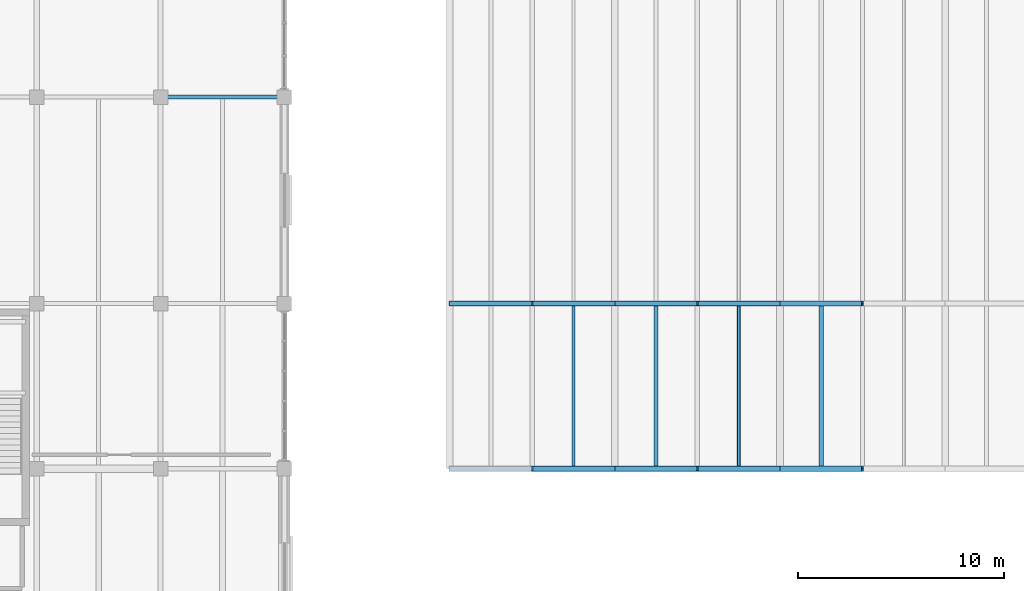
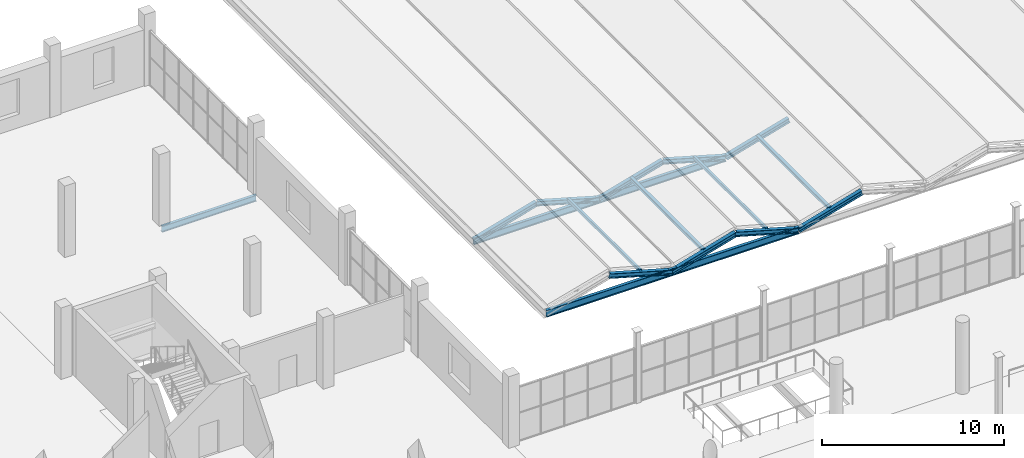
# One storey, part 58 of 114: 13 members, 5 beams.
"""IFC4 building model written with IfcOpenShell, lengths in metres."""

from ifc_helpers import new_model, si_unit, direction, frame, origin, origin_2d, place, context, subcontext, project, spatial, hollow_rectangle, i_section, extrude, material, material_profile, profile_set, type_object, element, save


model = new_model("IFC4")

# Units and contexts
model_context = context("Model", 3, precision=1e-05, world=origin(), true_north=direction((0.0, 1.0)))
body_context = subcontext(model_context, "Body", "Model", "MODEL_VIEW")
ifc_project = project(units=[si_unit("LENGTHUNIT", "METRE"), si_unit("AREAUNIT", "SQUARE_METRE"), si_unit("VOLUMEUNIT", "CUBIC_METRE"), si_unit("PLANEANGLEUNIT", "RADIAN"), si_unit("MASSUNIT", "GRAM", prefix="KILO")], contexts=[model_context])

# Site, building, storey
site_placement = place(None, origin())
site = spatial("IfcSite", under=ifc_project, at=site_placement, CompositionType="ELEMENT")
building_placement = place(site_placement, origin())
building = spatial("IfcBuilding", under=site, at=building_placement, Name="Verrall Gate Interchange", CompositionType="ELEMENT")
storey_placement = place(building_placement, frame((0.0, 0.0, 6.60009765625)))
storey = spatial("IfcBuildingStorey", under=building, at=storey_placement, Name="L02", CompositionType="ELEMENT", Elevation=6.60009765625)

# Beams
ifc_material_1 = material(Name="Structural Steel CSA G40.21 350W", Category="steel")
ifc_material_profile_1 = material_profile(ifc_material_1, i_section(OverallWidth=0.19189453125, OverallDepth=0.462890625, WebThickness=0.010498046875, FlangeThickness=0.017578125, FilletRadius=0.012939453125, at=origin_2d()), Name="W460x89")
ifc_profile_set_1 = profile_set([ifc_material_profile_1], Name="Structural Steel CSA G40.21 350W")
beam_type_1 = type_object("IfcBeamType", Name="B-11 Structural Beam W460x89", PredefinedType="BEAM", material=ifc_profile_set_1)
for number, where, z_axis, x_axis, name in (
    (1, (44.0, 66.0, -0.126708984375), (1.0, 0.0, 0.0), (0.0, 1.0, 0.0), "Bus Roof Tie Girder 1.66"),
    (2, (44.0, 74.0, -0.126708984375), (1.0, 0.0, 0.0), (0.0, 1.0, 0.0), "Bus Roof Tie Girder 1.74"),
    (3, (52.0, 66.0, -0.126708984375), (1.0, 0.0, 0.0), (0.0, 1.0, 0.0), "Bus Roof Tie Girder 2.66"),
    (4, (52.0, 74.0, -0.126708984375), (1.0, 0.0, 0.0), (0.0, 1.0, 0.0), "Bus Roof Tie Girder 2.74"),
):
    element("IfcBeam", number, at=place(storey_placement, frame(where, z_axis=z_axis, x_axis=x_axis)), inside=storey, type_object=beam_type_1, Name=name, PredefinedType="BEAM", context=body_context, shape_type="SweptSolid", body=[
        extrude(i_section(OverallWidth=0.19189453125, OverallDepth=0.462890625, WebThickness=0.010498046875, FlangeThickness=0.017578125, FilletRadius=0.012939453125, at=origin_2d()), origin(), (0.0, 0.0, 1.0), 8.0),
    ])
ifc_material_2 = material(Name="Structural Steel CSA G40.21 350W", Category="steel")
ifc_material_profile_2 = material_profile(ifc_material_2, i_section(OverallWidth=0.178955078125, OverallDepth=0.409912109375, WebThickness=0.0087890625, FlangeThickness=0.014404296875, FilletRadius=0.011962890625, at=origin_2d()), Name="W410x67")
ifc_profile_set_2 = profile_set([ifc_material_profile_2], Name="Structural Steel CSA G40.21 350W")
beam_type_2 = type_object("IfcBeamType", Name="B-12 Structural Beam W410x67", PredefinedType="BEAM", material=ifc_profile_set_2)
beam_placement = place(storey_placement, frame((30.0, 84.0, -0.485107421875), z_axis=(1.0, 0.0, 0.0), x_axis=(0.0, 1.0, 0.0)))
element("IfcBeam", 5, at=beam_placement, inside=storey, type_object=beam_type_2, Name="L02 Girder BM-L02-1626 (B-12)", PredefinedType="BEAM", context=body_context, shape_type="SweptSolid", body=[
    extrude(i_section(OverallWidth=0.178955078125, OverallDepth=0.409912109375, WebThickness=0.0087890625, FlangeThickness=0.014404296875, FilletRadius=0.011962890625, at=origin_2d()), origin(), (0.0, 0.0, 1.0), 6.0),
])

# Members
ifc_material_3 = material(Name="Structural Steel CSA G40.21 350WT Cat 4", Category="steel")
ifc_material_profile_3 = material_profile(ifc_material_3, i_section(OverallWidth=0.202880859375, OverallDepth=0.202880859375, WebThickness=0.007080078125, FlangeThickness=0.010986328125, FilletRadius=0.010009765625, at=origin_2d()), Name="W200x46")
ifc_profile_set_3 = profile_set([ifc_material_profile_3], Name="Structural Steel CSA G40.21 350WT Cat 4")
member_type_1 = type_object("IfcMemberType", Name="PR-02 Roof Purlin W200x46", PredefinedType="PURLIN", material=ifc_profile_set_3)
for number, where, z_axis, x_axis, name in (
    (6, (54.0, 66.0, 0.59326171875), (0.0, 1.0, 0.0), (-1.0, 0.0, 0.0), "Bus Roof Purlin W 2.66"),
    (7, (62.0, 66.0, 0.59326171875), (0.0, 1.0, 0.0), (-1.0, 0.0, 0.0), "Bus Roof Purlin W 3.66"),
):
    element("IfcMember", number, at=place(storey_placement, frame(where, z_axis=z_axis, x_axis=x_axis)), inside=storey, type_object=member_type_1, Name=name, PredefinedType="PURLIN", context=body_context, shape_type="SweptSolid", body=[
        extrude(i_section(OverallWidth=0.202880859375, OverallDepth=0.202880859375, WebThickness=0.007080078125, FlangeThickness=0.010986328125, FilletRadius=0.010009765625, at=origin_2d()), origin(), (0.0, 0.0, 1.0), 8.0),
    ])
ifc_material_4 = material(Name="Structural Steel CSA G40.21 350WT Cat 4", Category="steel")
ifc_material_profile_4 = material_profile(ifc_material_4, hollow_rectangle(XDim=0.152099609375, YDim=0.202880859375, WallThickness=0.008056640625, InnerFilletRadius=0.008056640625, OuterFilletRadius=0.015869140625, at=origin_2d()), Name="HSS203x152x8.0")
ifc_profile_set_4 = profile_set([ifc_material_profile_4], Name="Structural Steel CSA G40.21 350WT Cat 4")
member_type_2 = type_object("IfcMemberType", Name="PR-04 Roof Purlin HSS203x152x8.0", PredefinedType="PURLIN", material=ifc_profile_set_4)
for number, where, z_axis, x_axis, name in (
    (8, (50.0, 66.0, 0.59326171875), (0.0, 1.0, 0.0), (-1.0, 0.0, 0.0), "Bus Roof Purlin E 1.66"),
    (9, (58.0, 66.0, 0.59326171875), (0.0, 1.0, 0.0), (-1.0, 0.0, 0.0), "Bus Roof Purlin E 2.66"),
):
    element("IfcMember", number, at=place(storey_placement, frame(where, z_axis=z_axis, x_axis=x_axis)), inside=storey, type_object=member_type_2, Name=name, PredefinedType="PURLIN", context=body_context, shape_type="SweptSolid", body=[
        extrude(hollow_rectangle(XDim=0.152099609375, YDim=0.202880859375, WallThickness=0.008056640625, InnerFilletRadius=0.008056640625, OuterFilletRadius=0.015869140625, at=origin_2d()), origin(), (0.0, 0.0, 1.0), 8.0),
    ])
ifc_material_5 = material(Name="Structural Steel CSA G40.21 350WT Cat 4", Category="steel")
ifc_material_profile_5 = material_profile(ifc_material_5, i_section(OverallWidth=0.25390625, OverallDepth=0.305908203125, WebThickness=0.0087890625, FlangeThickness=0.0146484375, FilletRadius=0.012939453125, at=origin_2d()), Name="W310x79")
ifc_profile_set_5 = profile_set([ifc_material_profile_5], Name="Structural Steel CSA G40.21 350WT Cat 4")
member_type_3 = type_object("IfcMemberType", Name="RF-03 Folded Roof Rafter W310x79", PredefinedType="RAFTER", material=ifc_profile_set_5)
for number, where, z_axis, x_axis, name in (
    (10, (48.0, 66.0, 1.01318359375), (0.961711999212, 0.0, -0.274062092549), (0.0, 1.0, 0.0), "Bus Roof Rafter E 1.66"),
    (11, (44.0, 74.0, -0.126708984375), (0.961711999212, 0.0, 0.274062092549), (0.0, 1.0, 0.0), "Bus Roof Rafter W 1.74"),
    (12, (48.0, 74.0, 1.01318359375), (0.961711999212, 0.0, -0.274062092549), (0.0, 1.0, 0.0), "Bus Roof Rafter E 1.74"),
    (13, (52.0, 66.0, -0.126708984375), (0.961711999212, 0.0, 0.274062092549), (0.0, 1.0, 0.0), "Bus Roof Rafter W 2.66"),
    (14, (56.0, 66.0, 1.01318359375), (0.961711999212, 0.0, -0.274062092549), (0.0, 1.0, 0.0), "Bus Roof Rafter E 2.66"),
    (15, (52.0, 74.0, -0.126708984375), (0.961711999212, 0.0, 0.274062092549), (0.0, 1.0, 0.0), "Bus Roof Rafter W 2.74"),
    (16, (56.0, 74.0, 1.01318359375), (0.961711999212, 0.0, -0.274062092549), (0.0, 1.0, 0.0), "Bus Roof Rafter E 2.74"),
    (17, (60.0, 66.0, -0.126708984375), (0.961711999212, 0.0, 0.274062092549), (0.0, 1.0, 0.0), "Bus Roof Rafter W 3.66"),
    (18, (60.0, 74.0, -0.126708984375), (0.961711999212, 0.0, 0.274062092549), (0.0, 1.0, 0.0), "Bus Roof Rafter W 3.74"),
):
    element("IfcMember", number, at=place(storey_placement, frame(where, z_axis=z_axis, x_axis=x_axis)), inside=storey, type_object=member_type_3, Name=name, PredefinedType="RAFTER", context=body_context, shape_type="SweptSolid", body=[
        extrude(i_section(OverallWidth=0.25390625, OverallDepth=0.305908203125, WebThickness=0.0087890625, FlangeThickness=0.0146484375, FilletRadius=0.012939453125, at=origin_2d()), origin(), (0.0, 0.0, 1.0), 4.1591796875),
    ])

save(model, "model.ifc")
